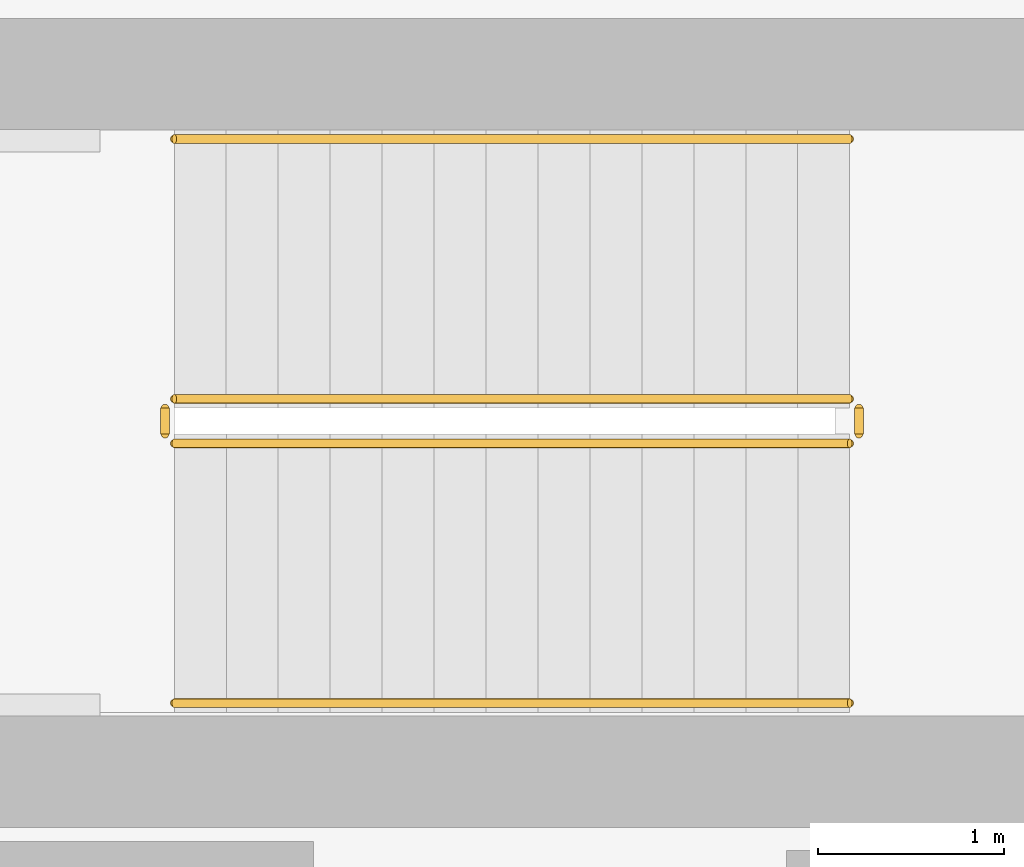
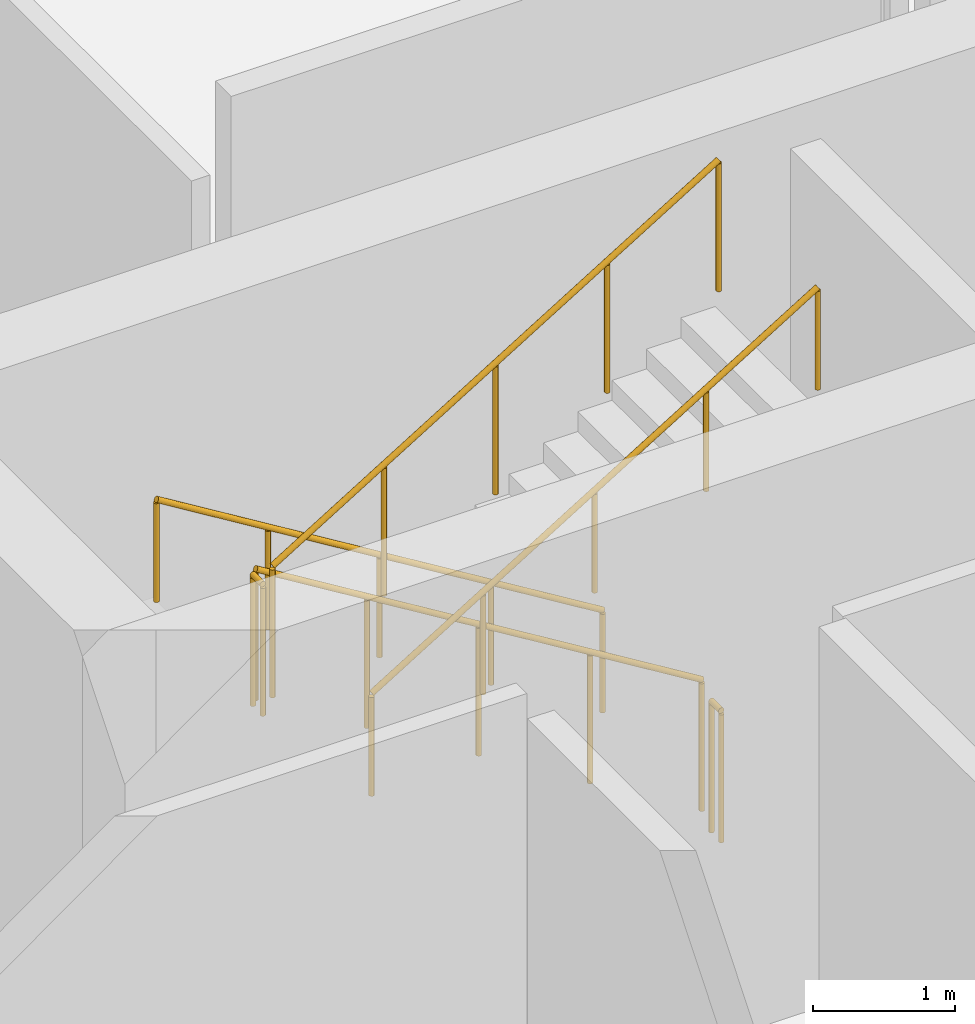
# One storey, part 21 of 23: 6 railings.
"""IFC4 building model written with IfcOpenShell, lengths in metres."""

from ifc_helpers import new_model, si_unit, derived_unit, direction, frame, origin, origin_2d, place, context, subcontext, project, spatial, circle, extrude, material, type_object, element, save


model = new_model("IFC4")

# Units and contexts
model_context = context("Model", 3, precision=1e-05, world=origin(), true_north=direction((0.0, 1.0)))
body_context = subcontext(model_context, "Body", "Model", "MODEL_VIEW")
ifc_project = project(units=[si_unit("LENGTHUNIT", "METRE"), si_unit("AREAUNIT", "SQUARE_METRE"), si_unit("VOLUMEUNIT", "CUBIC_METRE"), si_unit("PLANEANGLEUNIT", "RADIAN"), si_unit("MASSUNIT", "GRAM", prefix="KILO"), derived_unit("THERMALTRANSMITTANCEUNIT", [(si_unit("POWERUNIT", "WATT"), 1), (si_unit("LENGTHUNIT", "METRE"), -2), (si_unit("THERMODYNAMICTEMPERATUREUNIT", "KELVIN"), -1)])], contexts=[model_context])

# Site, building, storey
site_placement = place(None, origin())
site = spatial("IfcSite", under=ifc_project, at=site_placement, CompositionType="ELEMENT")
building_placement = place(site_placement, origin())
building = spatial("IfcBuilding", under=site, at=building_placement, Name="Kivonza Crest Hotel", CompositionType="ELEMENT")
storey_placement = place(building_placement, frame((0.0, 0.0, 5.39990234375)))
storey = spatial("IfcBuildingStorey", under=building, at=storey_placement, Name="L01", CompositionType="ELEMENT", Elevation=5.39990234375)

# Railings
ifc_material_1 = material(Name="Brushed stainless steel handrail", Category="steel")
railing_type_1 = type_object("IfcRailingType", Name="RL-HAND-900", PredefinedType="HANDRAIL", material=ifc_material_1)
railing_1_placement = place(storey_placement, frame((12.239990234375, 36.110107421875, 0.171630859375)))
element("IfcRailing", 1, at=railing_1_placement, inside=storey, type_object=railing_type_1, Name="L01 ST-T1-N stair handrail 1", PredefinedType="HANDRAIL", context=body_context, shape_type="SweptSolid", body=[
    extrude(circle(Radius=0.02392578125, at=origin_2d()), frame((0.0, 0.0, 0.8759765625), z_axis=(-0.852850264322, 0.0, 0.5221555579), x_axis=(0.0, -1.0, 0.0)), (0.0, 0.0, 1.0), 4.267822265625),
    extrude(circle(Radius=0.02099609375, at=origin_2d()), origin(), (0.0, 0.0, 1.0), 0.851806640625),
    extrude(circle(Radius=0.02099609375, at=origin_2d()), frame((-0.909912109375, 0.0, 0.55712890625)), (0.0, 0.0, 1.0), 0.851806640625),
    extrude(circle(Radius=0.02099609375, at=origin_2d()), frame((-1.81982421875, 0.0, 1.1142578125)), (0.0, 0.0, 1.0), 0.851806640625),
    extrude(circle(Radius=0.02099609375, at=origin_2d()), frame((-2.72998046875, 0.0, 1.67138671875)), (0.0, 0.0, 1.0), 0.851806640625),
    extrude(circle(Radius=0.02099609375, at=origin_2d()), frame((-3.639892578125, 0.0, 2.228515625)), (0.0, 0.0, 1.0), 0.851806640625),
])
railing_2_placement = place(storey_placement, frame((8.60009765625, 33.070068359375, 2.571533203125)))
element("IfcRailing", 2, at=railing_2_placement, inside=storey, type_object=railing_type_1, Name="L01 ST-T1-N stair handrail 2", PredefinedType="HANDRAIL", context=body_context, shape_type="SweptSolid", body=[
    extrude(circle(Radius=0.02392578125, at=origin_2d()), frame((0.0, 0.0, 0.8759765625), z_axis=(0.852850264322, 0.0, 0.5221555579), x_axis=(0.0, 1.0, 0.0)), (0.0, 0.0, 1.0), 4.267822265625),
    extrude(circle(Radius=0.02099609375, at=origin_2d()), origin(), (0.0, 0.0, 1.0), 0.851806640625),
    extrude(circle(Radius=0.02099609375, at=origin_2d()), frame((0.909912109375, 0.0, 0.55712890625)), (0.0, 0.0, 1.0), 0.851806640625),
    extrude(circle(Radius=0.02099609375, at=origin_2d()), frame((1.81982421875, 0.0, 1.1142578125)), (0.0, 0.0, 1.0), 0.851806640625),
    extrude(circle(Radius=0.02099609375, at=origin_2d()), frame((2.72998046875, 0.0, 1.67138671875)), (0.0, 0.0, 1.0), 0.851806640625),
    extrude(circle(Radius=0.02099609375, at=origin_2d()), frame((3.639892578125, 0.0, 2.228515625)), (0.0, 0.0, 1.0), 0.851806640625),
])
ifc_material_2 = material(Name="Painted steel balustrade", Category="steel")
railing_type_2 = type_object("IfcRailingType", Name="RL-STAIR-1150", PredefinedType="BALUSTRADE", material=ifc_material_2)
railing_3_placement = place(storey_placement, frame((12.239990234375, 34.7099609375, 0.171630859375)))
element("IfcRailing", 3, at=railing_3_placement, inside=storey, type_object=railing_type_2, Name="L01 ST-T1-N stair guard 1", PredefinedType="BALUSTRADE", context=body_context, shape_type="SweptSolid", body=[
    extrude(circle(Radius=0.02392578125, at=origin_2d()), frame((0.0, 0.0, 1.1259765625), z_axis=(-0.852850264322, 0.0, 0.5221555579), x_axis=(0.0, -1.0, 0.0)), (0.0, 0.0, 1.0), 4.267822265625),
    extrude(circle(Radius=0.02099609375, at=origin_2d()), origin(), (0.0, 0.0, 1.0), 1.101806640625),
    extrude(circle(Radius=0.02099609375, at=origin_2d()), frame((-0.909912109375, 0.0, 0.55712890625)), (0.0, 0.0, 1.0), 1.101806640625),
    extrude(circle(Radius=0.02099609375, at=origin_2d()), frame((-1.81982421875, 0.0, 1.1142578125)), (0.0, 0.0, 1.0), 1.101806640625),
    extrude(circle(Radius=0.02099609375, at=origin_2d()), frame((-2.72998046875, 0.0, 1.67138671875)), (0.0, 0.0, 1.0), 1.101806640625),
    extrude(circle(Radius=0.02099609375, at=origin_2d()), frame((-3.639892578125, 0.0, 2.228515625)), (0.0, 0.0, 1.0), 1.101806640625),
])
railing_4_placement = place(storey_placement, frame((8.550048828125, 34.659912109375, 2.400146484375)))
element("IfcRailing", 4, at=railing_4_placement, inside=storey, type_object=railing_type_2, Name="L01 ST-T1-N stair guard 2", PredefinedType="BALUSTRADE", context=body_context, shape_type="SweptSolid", body=[
    extrude(circle(Radius=0.02392578125, at=origin_2d()), frame((0.0, 0.0, 1.1259765625), z_axis=(0.0, -1.0, 0.0), x_axis=(1.0, 0.0, 0.0)), (0.0, 0.0, 1.0), 0.139892578125),
    extrude(circle(Radius=0.02099609375, at=origin_2d()), origin(), (0.0, 0.0, 1.0), 1.101806640625),
    extrude(circle(Radius=0.02099609375, at=origin_2d()), frame((0.0, -0.139892578125, 0.0)), (0.0, 0.0, 1.0), 1.101806640625),
])
railing_5_placement = place(storey_placement, frame((8.60009765625, 34.469970703125, 2.571533203125)))
element("IfcRailing", 5, at=railing_5_placement, inside=storey, type_object=railing_type_2, Name="L01 ST-T1-N stair guard 3", PredefinedType="BALUSTRADE", context=body_context, shape_type="SweptSolid", body=[
    extrude(circle(Radius=0.02392578125, at=origin_2d()), frame((0.0, 0.0, 1.1259765625), z_axis=(0.852850264322, 0.0, 0.5221555579), x_axis=(0.0, 1.0, 0.0)), (0.0, 0.0, 1.0), 4.267822265625),
    extrude(circle(Radius=0.02099609375, at=origin_2d()), origin(), (0.0, 0.0, 1.0), 1.101806640625),
    extrude(circle(Radius=0.02099609375, at=origin_2d()), frame((0.909912109375, 0.0, 0.55712890625)), (0.0, 0.0, 1.0), 1.101806640625),
    extrude(circle(Radius=0.02099609375, at=origin_2d()), frame((1.81982421875, 0.0, 1.1142578125)), (0.0, 0.0, 1.0), 1.101806640625),
    extrude(circle(Radius=0.02099609375, at=origin_2d()), frame((2.72998046875, 0.0, 1.67138671875)), (0.0, 0.0, 1.0), 1.101806640625),
    extrude(circle(Radius=0.02099609375, at=origin_2d()), frame((3.639892578125, 0.0, 2.228515625)), (0.0, 0.0, 1.0), 1.101806640625),
])
railing_6_placement = place(storey_placement, frame((12.2900390625, 34.659912109375, 0.0)))
element("IfcRailing", 6, at=railing_6_placement, inside=storey, type_object=railing_type_2, Name="L01 ST-T1-N stair guard 4", PredefinedType="BALUSTRADE", context=body_context, shape_type="SweptSolid", body=[
    extrude(circle(Radius=0.02392578125, at=origin_2d()), frame((0.0, 0.0, 1.1259765625), z_axis=(0.0, -1.0, 0.0), x_axis=(1.0, 0.0, 0.0)), (0.0, 0.0, 1.0), 0.139892578125),
    extrude(circle(Radius=0.02099609375, at=origin_2d()), origin(), (0.0, 0.0, 1.0), 1.101806640625),
    extrude(circle(Radius=0.02099609375, at=origin_2d()), frame((0.0, -0.139892578125, 0.0)), (0.0, 0.0, 1.0), 1.101806640625),
])

save(model, "model.ifc")
